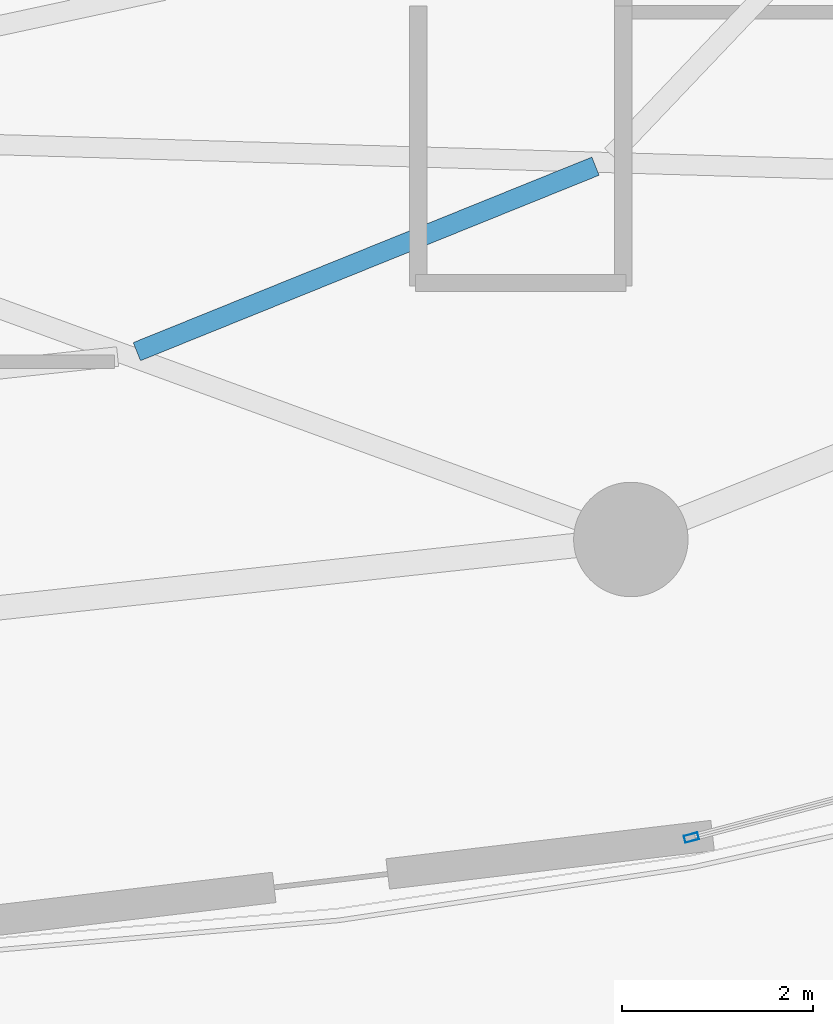
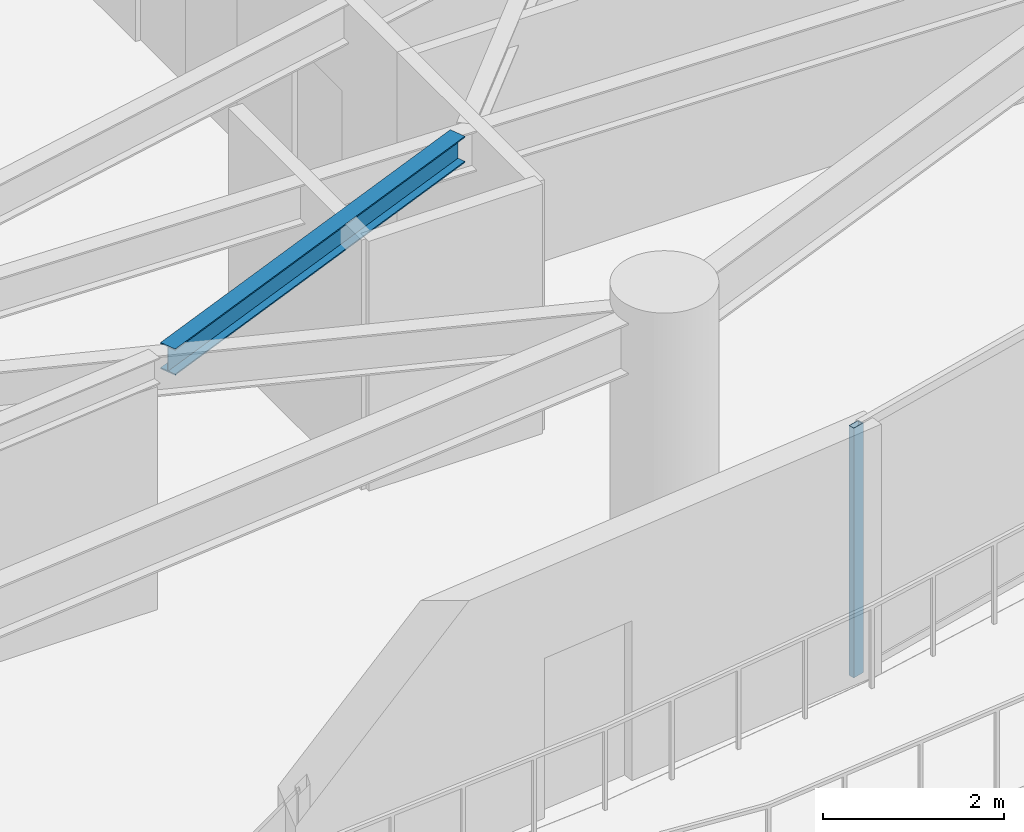
# One storey, part 12 of 34: 1 beam, 1 member, 1 element without a shape of its own.
"""IFC4 building model written with IfcOpenShell, lengths in metres."""

from ifc_helpers import new_model, si_unit, direction, frame, origin, origin_2d, place, context, subcontext, project, spatial, hollow_rectangle, i_section, extrude, material, layer, layer_set, material_profile, profile_set, type_object, element, aggregate, save


model = new_model("IFC4")

# Units and contexts
model_context = context("Model", 3, precision=1e-05, world=origin(), true_north=direction((0.0, 1.0)))
body_context = subcontext(model_context, "Body", "Model", "MODEL_VIEW")
ifc_project = project(units=[si_unit("LENGTHUNIT", "METRE"), si_unit("AREAUNIT", "SQUARE_METRE"), si_unit("VOLUMEUNIT", "CUBIC_METRE"), si_unit("PLANEANGLEUNIT", "RADIAN"), si_unit("MASSUNIT", "GRAM", prefix="KILO")], contexts=[model_context])

# Site, building, storey
site_placement = place(None, origin())
site = spatial("IfcSite", under=ifc_project, at=site_placement, CompositionType="ELEMENT")
building_placement = place(site_placement, origin())
building = spatial("IfcBuilding", under=site, at=building_placement, Name="Kazevale Care Tower and Concert Hall", CompositionType="ELEMENT")
storey_placement = place(building_placement, frame((0.0, 0.0, 167.39990234375)))
storey = spatial("IfcBuildingStorey", under=building, at=storey_placement, Name="L44", CompositionType="ELEMENT", Elevation=167.39990234375)

# Curtain wall, member
ifc_material_1 = material(Name="Aluminium 6063-T6 and Low-E Glass", Category="aluminium")
ifc_layer = layer(ifc_material_1, 0.179931640625)
ifc_layer_set = layer_set([ifc_layer], Name="Aluminium 6063-T6 and Low-E Glass")
curtain_wall_type = type_object("IfcCurtainWallType", Name="Sheltered Concave Balcony Curtain Wall CW-5", PredefinedType="NOTDEFINED", material=ifc_layer_set)
curtain_wall_placement = place(storey_placement, origin())
curtain_wall = element("IfcCurtainWall", 1, at=curtain_wall_placement, inside=storey, type_object=curtain_wall_type, Name="cw:L44:f04", PredefinedType="NOTDEFINED")
ifc_material_2 = material(Name="Aluminium 6063-T6", Category="aluminium")
ifc_material_profile_1 = material_profile(ifc_material_2, hollow_rectangle(XDim=0.074951171875, YDim=0.14990234375, WallThickness=0.00390625, at=origin_2d()), Name="ALU75x150x4")
ifc_profile_set_1 = profile_set([ifc_material_profile_1], Name="Aluminium 6063-T6")
member_type = type_object("IfcMemberType", Name="CW-5 Mullion ALU75x150x4", PredefinedType="MULLION", material=ifc_profile_set_1)
member_placement = place(storey_placement, frame((56.365234375, 16.18359375, 0.0), z_axis=(0.0, 0.0, 1.0), x_axis=(0.254238458229, -0.967141564797, 0.0)))
member = element("IfcMember", 2, at=member_placement, type_object=member_type, Name="CW-5 mullion 2", PredefinedType="MULLION", context=body_context, shape_type="SweptSolid", body=[
    extrude(hollow_rectangle(XDim=0.074951171875, YDim=0.14990234375, WallThickness=0.00390625, at=origin_2d()), origin(), (0.0, 0.0, 1.0), 3.360107421875),
])
aggregate(curtain_wall, [member])

# Beam
ifc_material_3 = material(Name="Steel ASTM A572 Gr 50", Category="steel")
ifc_material_profile_2 = material_profile(ifc_material_3, i_section(OverallWidth=0.205078125, OverallDepth=0.35400390625, WebThickness=0.009521484375, FlangeThickness=0.016845703125, at=origin_2d()), Name="W360x79")
ifc_profile_set_2 = profile_set([ifc_material_profile_2], Name="Steel ASTM A572 Gr 50")
beam_type = type_object("IfcBeamType", Name="Secondary Floor Joist W360x79", PredefinedType="JOIST", material=ifc_profile_set_2)
beam_placement = place(storey_placement, frame((50.549072265625, 21.280029296875, 3.18310546875), z_axis=(0.927064833216, 0.374901046964, 0.0), x_axis=(-0.374901046964, 0.927064833216, 0.0)))
element("IfcBeam", 3, at=beam_placement, inside=storey, type_object=beam_type, Name="beam:L44:joist:14", PredefinedType="JOIST", context=body_context, shape_type="SweptSolid", body=[
    extrude(i_section(OverallWidth=0.205078125, OverallDepth=0.35400390625, WebThickness=0.009521484375, FlangeThickness=0.016845703125, at=origin_2d()), origin(), (0.0, 0.0, 1.0), 5.188232421875),
])

save(model, "model.ifc")
